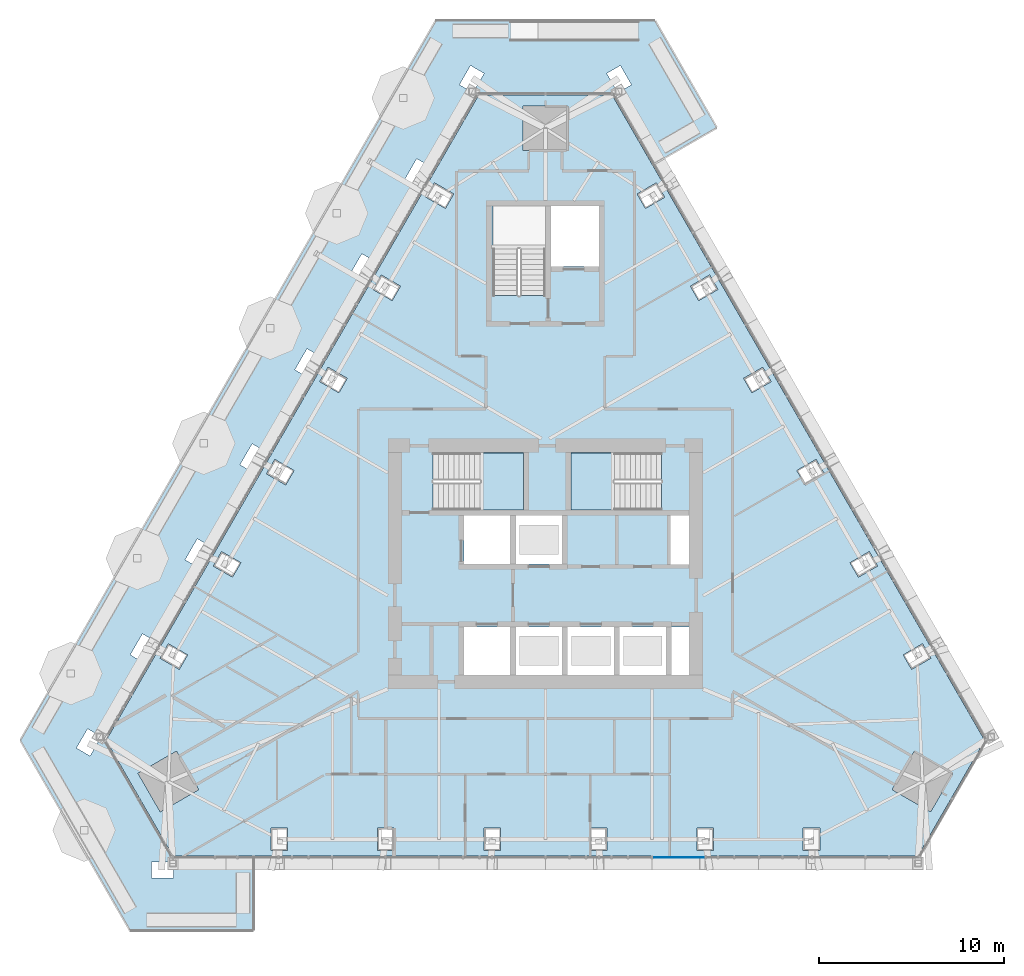
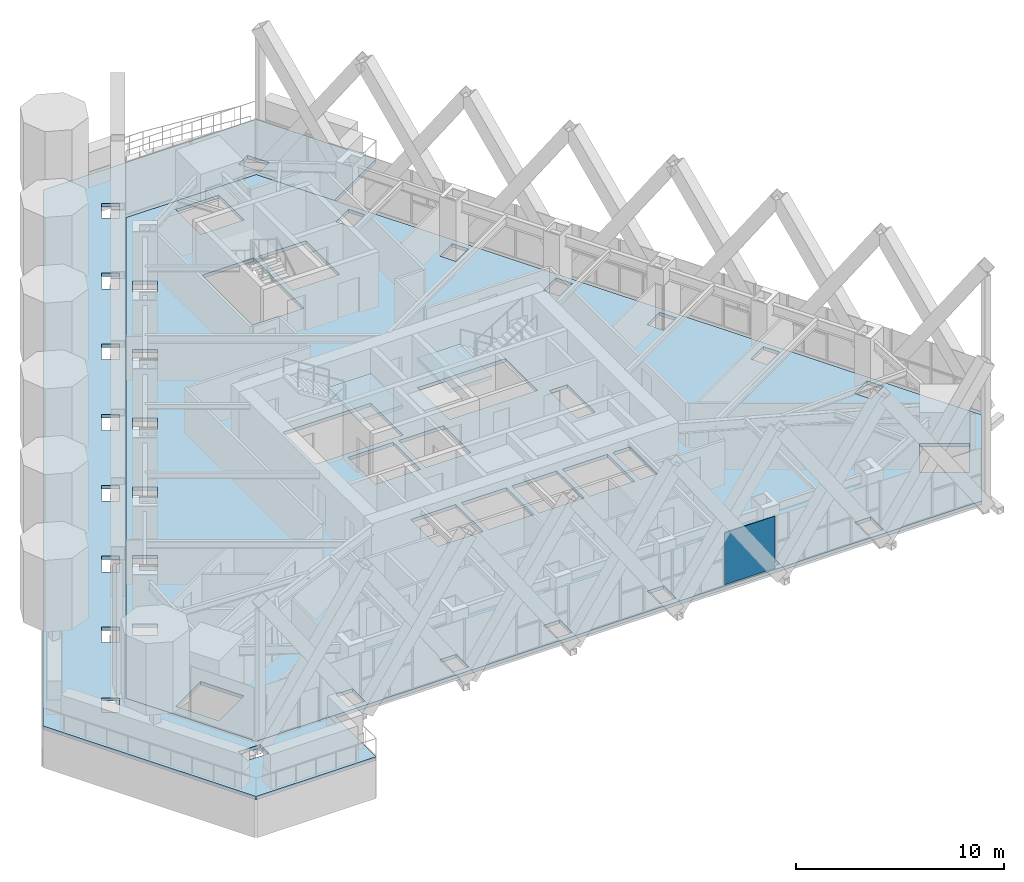
# One storey, part 13 of 24: 4 slabs, 1 plate, 3 elements without a shape of their own.
"""IFC4 building model written with IfcOpenShell, lengths in metres."""

from ifc_helpers import new_model, si_unit, direction, frame, origin, place, context, subcontext, project, spatial, polyline, outline, extrude, material, layer, layer_set, type_object, element, aggregate, save


model = new_model("IFC4")

# Units and contexts
model_context = context("Model", 3, precision=1e-05, world=origin(), true_north=direction((0.0, 1.0)))
body_context = subcontext(model_context, "Body", "Model", "MODEL_VIEW")
ifc_project = project(units=[si_unit("LENGTHUNIT", "METRE"), si_unit("AREAUNIT", "SQUARE_METRE"), si_unit("VOLUMEUNIT", "CUBIC_METRE"), si_unit("PLANEANGLEUNIT", "RADIAN"), si_unit("MASSUNIT", "GRAM", prefix="KILO")], contexts=[model_context])

# Site, building, storey
site_placement = place(None, origin())
site = spatial("IfcSite", under=ifc_project, at=site_placement, CompositionType="ELEMENT")
building_placement = place(site_placement, origin())
building = spatial("IfcBuilding", under=site, at=building_placement, Name="Firuza Gate Tower and Library", CompositionType="ELEMENT")
storey_placement = place(building_placement, frame((0.0, 0.0, 323.10009765625)))
storey = spatial("IfcBuildingStorey", under=building, at=storey_placement, Name="L79", CompositionType="ELEMENT", Elevation=323.10009765625)

# Slab
ifc_material_1 = material(Name="Concrete C40/50", Category="concrete")
ifc_layer_1 = layer(ifc_material_1, 0.199951171875)
ifc_layer_set_1 = layer_set([ifc_layer_1], Name="Composite floor slab 200 C40/50")
slab_type_1 = type_object("IfcSlabType", Name="Composite floor slab 200 C40/50", PredefinedType="FLOOR", material=ifc_layer_set_1)
placement_1 = place(storey_placement, frame((0.0, 0.0, -0.2001953125)))
element("IfcSlab", 1, at=placement_1, inside=storey, type_object=slab_type_1, Name="Floor slab L79", PredefinedType="FLOOR", context=body_context, shape_type="SweptSolid", body=[
    extrude(outline(polyline([(51.2958984375, 65.471435546875), (54.89599609375, 59.236083984375), (95.10400390625, 59.236083984375), (98.7041015625, 65.471435546875), (78.60009765625, 100.29248046875), (71.39990234375, 100.29248046875), (51.2958984375, 65.471435546875)]), holes=[polyline([(60.18994140625, 59.5361328125), (60.18994140625, 60.736083984375), (61.090087890625, 60.736083984375), (61.090087890625, 59.5361328125), (60.18994140625, 59.5361328125)]), polyline([(65.93408203125, 59.5361328125), (65.93408203125, 60.736083984375), (66.833984375, 60.736083984375), (66.833984375, 59.5361328125), (65.93408203125, 59.5361328125)]), polyline([(71.677978515625, 59.5361328125), (71.677978515625, 60.736083984375), (72.577880859375, 60.736083984375), (72.577880859375, 59.5361328125), (71.677978515625, 59.5361328125)]), polyline([(53.015625, 63.69287109375), (55.093994140625, 64.89306640625), (56.294189453125, 62.814453125), (54.215576171875, 61.614501953125), (53.015625, 63.69287109375)]), polyline([(54.65283203125, 70.685546875), (55.692138671875, 70.085693359375), (55.241943359375, 69.30615234375), (54.202880859375, 69.90625), (54.65283203125, 70.685546875)]), polyline([(73.10009765625, 69.0), (70.60009765625, 69.0), (70.60009765625, 71.60009765625), (73.10009765625, 71.60009765625), (73.10009765625, 69.0)]), polyline([(75.89990234375, 69.0), (73.39990234375, 69.0), (73.39990234375, 71.60009765625), (75.89990234375, 71.60009765625), (75.89990234375, 69.0)]), polyline([(57.52490234375, 75.659912109375), (58.56396484375, 75.06005859375), (58.114013671875, 74.280517578125), (57.07470703125, 74.880615234375), (57.52490234375, 75.659912109375)]), polyline([(73.10009765625, 75.0), (70.60009765625, 75.0), (70.60009765625, 77.60009765625), (73.10009765625, 77.60009765625), (73.10009765625, 75.0)]), polyline([(75.89990234375, 75.0), (73.39990234375, 75.0), (73.39990234375, 77.60009765625), (75.89990234375, 77.60009765625), (75.89990234375, 75.0)]), polyline([(68.9404296875, 77.89990234375), (68.9404296875, 80.97998046875), (73.81005859375, 80.97998046875), (73.81005859375, 77.89990234375), (68.9404296875, 77.89990234375)]), polyline([(60.396728515625, 80.634521484375), (61.43603515625, 80.034423828125), (60.986083984375, 79.255126953125), (59.94677734375, 79.85498046875), (60.396728515625, 80.634521484375)]), polyline([(63.268798828125, 85.60888671875), (64.30810546875, 85.009033203125), (63.858154296875, 84.2294921875), (62.81884765625, 84.82958984375), (63.268798828125, 85.60888671875)]), polyline([(66.140869140625, 90.583251953125), (67.179931640625, 89.9833984375), (66.72998046875, 89.203857421875), (65.69091796875, 89.803955078125), (66.140869140625, 90.583251953125)]), polyline([(72.159912109375, 89.470458984375), (72.159912109375, 94.300048828125), (75.0, 94.300048828125), (75.0, 89.470458984375), (72.159912109375, 89.470458984375)]), polyline([(69.0126953125, 95.557861328125), (70.052001953125, 94.957763671875), (69.60205078125, 94.178466796875), (68.562744140625, 94.7783203125), (69.0126953125, 95.557861328125)]), polyline([(76.199951171875, 99.692626953125), (76.199951171875, 97.29248046875), (73.800048828125, 97.29248046875), (73.800048828125, 99.692626953125), (76.199951171875, 99.692626953125)]), polyline([(77.422119140625, 59.5361328125), (77.422119140625, 60.736083984375), (78.322021484375, 60.736083984375), (78.322021484375, 59.5361328125), (77.422119140625, 59.5361328125)]), polyline([(83.166015625, 59.5361328125), (83.166015625, 60.736083984375), (84.06591796875, 60.736083984375), (84.06591796875, 59.5361328125), (83.166015625, 59.5361328125)]), polyline([(88.909912109375, 59.5361328125), (88.909912109375, 60.736083984375), (89.81005859375, 60.736083984375), (89.81005859375, 59.5361328125), (88.909912109375, 59.5361328125)]), polyline([(95.784423828125, 61.614501953125), (93.705810546875, 62.814453125), (94.906005859375, 64.89306640625), (96.984375, 63.69287109375), (95.784423828125, 61.614501953125)]), polyline([(95.797119140625, 69.90625), (94.758056640625, 69.30615234375), (94.307861328125, 70.085693359375), (95.34716796875, 70.685546875), (95.797119140625, 69.90625)]), polyline([(78.699951171875, 69.0), (76.199951171875, 69.0), (76.199951171875, 71.60009765625), (78.699951171875, 71.60009765625), (78.699951171875, 69.0)]), polyline([(81.5, 69.0), (79.0, 69.0), (79.0, 71.60009765625), (81.5, 71.60009765625), (81.5, 69.0)]), polyline([(82.75, 69.0), (81.800048828125, 69.0), (81.800048828125, 71.60009765625), (82.75, 71.60009765625), (82.75, 69.0)]), polyline([(92.92529296875, 74.880615234375), (91.885986328125, 74.280517578125), (91.43603515625, 75.06005859375), (92.47509765625, 75.659912109375), (92.92529296875, 74.880615234375)]), polyline([(82.75, 74.949951171875), (81.75, 74.949951171875), (81.75, 77.60009765625), (82.75, 77.60009765625), (82.75, 74.949951171875)]), polyline([(81.259521484375, 80.97998046875), (81.259521484375, 77.89990234375), (76.389892578125, 77.89990234375), (76.389892578125, 80.97998046875), (81.259521484375, 80.97998046875)]), polyline([(90.05322265625, 79.85498046875), (89.013916015625, 79.255126953125), (88.56396484375, 80.034423828125), (89.603271484375, 80.634521484375), (90.05322265625, 79.85498046875)]), polyline([(87.18115234375, 84.82958984375), (86.141845703125, 84.2294921875), (85.69189453125, 85.009033203125), (86.731201171875, 85.60888671875), (87.18115234375, 84.82958984375)]), polyline([(84.30908203125, 89.803955078125), (83.27001953125, 89.203857421875), (82.820068359375, 89.9833984375), (83.859130859375, 90.583251953125), (84.30908203125, 89.803955078125)]), polyline([(75.300048828125, 91.050048828125), (75.300048828125, 94.300048828125), (77.89990234375, 94.300048828125), (77.89990234375, 91.050048828125), (75.300048828125, 91.050048828125)]), polyline([(80.39794921875, 94.178466796875), (79.947998046875, 94.957763671875), (80.9873046875, 95.557861328125), (81.437255859375, 94.7783203125), (80.39794921875, 94.178466796875)])]), origin(), (0.0, 0.0, 1.0), 0.2001953125),
])

# Curtain wall, plate
ifc_material_2 = material(Name="Aluminium 6063-T6", Category="aluminium")
ifc_layer_2 = layer(ifc_material_2, 0.14990234375)
ifc_layer_set_2 = layer_set([ifc_layer_2], Name="Unitised curtain wall, residences")
curtain_wall_type = type_object("IfcCurtainWallType", Name="Unitised curtain wall, residences", PredefinedType="NOTDEFINED", material=ifc_layer_set_2)
placement_2 = place(storey_placement, origin())
curtain_wall = element("IfcCurtainWall", 2, at=placement_2, inside=storey, type_object=curtain_wall_type, Name="CW3 L79 S face", PredefinedType="NOTDEFINED")
ifc_material_3 = material(Name="Glazed ceramic tile")
ifc_layer_3 = layer(ifc_material_3, 0.030029296875)
ifc_layer_set_3 = layer_set([ifc_layer_3], Name="Opaque ceramic panel, residences")
plate_type = type_object("IfcPlateType", Name="Opaque ceramic panel, residences", PredefinedType="CURTAIN_PANEL", material=ifc_layer_set_3)
plate_placement = place(storey_placement, frame((80.79638671875, 59.14599609375, 0.14990234375), z_axis=(0.0, -1.0, 0.0), x_axis=(1.0, 0.0, 0.0)))
plate = element("IfcPlate", 3, at=plate_placement, type_object=plate_type, Name="Opaque ceramic panel", PredefinedType="CURTAIN_PANEL", context=body_context, shape_type="SweptSolid", body=[
    extrude(outline(polyline([(0.0, 0.0), (2.798095703125, 0.0), (2.798095703125, 3.050048828125), (0.0, 3.050048828125), (0.0, 0.0)])), origin(), (0.0, 0.0, -1.0), 0.030029296875),
])
aggregate(curtain_wall, [plate])

# Slab
ifc_material_4 = material(Name="Concrete C40/50", Category="concrete")
ifc_layer_4 = layer(ifc_material_4, 0.199951171875)
ifc_layer_set_4 = layer_set([ifc_layer_4], Name="Planter tray slab 200 C40/50")
slab_type_2 = type_object("IfcSlabType", Name="Planter tray slab 200 C40/50", PredefinedType="FLOOR", material=ifc_layer_set_4)
element("IfcSlab", 4, at=placement_1, inside=storey, type_object=slab_type_2, Name="Planter tray L79 band 9", PredefinedType="FLOOR", context=body_context, shape_type="SweptSolid", body=[
    extrude(outline(polyline([(80.77001953125, 96.533935546875), (84.234130859375, 98.533935546875), (80.909423828125, 104.29248046875), (69.090576171875, 104.29248046875), (46.67724609375, 65.471435546875), (52.586669921875, 55.236083984375), (59.236083984375, 55.236083984375), (59.236083984375, 59.236083984375), (54.89599609375, 59.236083984375), (51.2958984375, 65.471435546875), (71.39990234375, 100.29248046875), (78.60009765625, 100.29248046875), (80.77001953125, 96.533935546875)]), holes=[polyline([(53.736328125, 58.055419921875), (53.736328125, 58.9052734375), (54.936279296875, 58.9052734375), (54.936279296875, 58.055419921875), (53.736328125, 58.055419921875)]), polyline([(51.02978515625, 65.671630859375), (50.429931640625, 64.632568359375), (49.693603515625, 65.057373046875), (50.293701171875, 66.0966796875), (51.02978515625, 65.671630859375)]), polyline([(52.65380859375, 70.184326171875), (53.253662109375, 71.2236328125), (53.98974609375, 70.798583984375), (53.933349609375, 70.700927734375), (53.933349609375, 70.700927734375), (53.33349609375, 69.66162109375), (52.597412109375, 70.086669921875), (52.65380859375, 70.184326171875), (52.65380859375, 70.184326171875)]), polyline([(55.61376953125, 75.311279296875), (55.61376953125, 75.311279296875), (56.213623046875, 76.350341796875), (56.949951171875, 75.925537109375), (56.8935546875, 75.827880859375), (56.8935546875, 75.827880859375), (56.29345703125, 74.78857421875), (55.557373046875, 75.213623046875), (55.61376953125, 75.311279296875)]), polyline([(58.57373046875, 80.43798828125), (59.173828125, 81.477294921875), (59.909912109375, 81.05224609375), (59.853515625, 80.95458984375), (59.853515625, 80.95458984375), (59.25341796875, 79.91552734375), (58.517333984375, 80.34033203125), (58.57373046875, 80.43798828125), (58.57373046875, 80.43798828125)]), polyline([(61.53369140625, 85.56494140625), (61.53369140625, 85.56494140625), (62.1337890625, 86.604248046875), (62.869873046875, 86.17919921875), (62.8134765625, 86.08154296875), (62.8134765625, 86.08154296875), (62.21337890625, 85.042236328125), (61.477294921875, 85.46728515625), (61.53369140625, 85.56494140625)]), polyline([(64.49365234375, 90.69189453125), (64.49365234375, 90.69189453125), (65.09375, 91.73095703125), (65.829833984375, 91.30615234375), (65.7734375, 91.20849609375), (65.7734375, 91.20849609375), (65.17333984375, 90.169189453125), (64.437255859375, 90.59423828125), (64.49365234375, 90.69189453125)]), polyline([(67.45361328125, 95.818603515625), (67.45361328125, 95.818603515625), (68.0537109375, 96.85791015625), (68.789794921875, 96.432861328125), (68.7333984375, 96.335205078125), (68.7333984375, 96.335205078125), (68.133544921875, 95.296142578125), (67.3974609375, 95.720947265625), (67.45361328125, 95.818603515625)]), polyline([(70.957275390625, 101.88720703125), (71.693359375, 101.462158203125), (71.093505859375, 100.4228515625), (70.357421875, 100.847900390625), (70.957275390625, 101.88720703125)]), polyline([(79.642578125, 100.847900390625), (78.906494140625, 100.4228515625), (78.306640625, 101.462158203125), (79.042724609375, 101.88720703125), (79.642578125, 100.847900390625)])]), origin(), (0.0, 0.0, 1.0), 0.2001953125),
])

# Stair, slab
ifc_material_5 = material(Name="Concrete C35/45", Category="concrete")
stair_type = type_object("IfcStairType", Name="Exit stair ST8", PredefinedType="HALF_TURN_STAIR", material=ifc_material_5)
stair_1 = element("IfcStair", 5, at=placement_2, inside=storey, type_object=stair_type, Name="L79 Stair ST1", PredefinedType="HALF_TURN_STAIR")
ifc_material_6 = material(Name="Concrete C35/45", Category="concrete")
ifc_layer_5 = layer(ifc_material_6, 0.199951171875)
ifc_layer_set_5 = layer_set([ifc_layer_5], Name="Stair landing 200")
slab_type_3 = type_object("IfcSlabType", Name="Stair landing 200", PredefinedType="LANDING", material=ifc_layer_set_5)
placement_3 = place(storey_placement, frame((0.0, 0.0, 1.5498046875)))
slab_3 = element("IfcSlab", 6, at=placement_3, type_object=slab_type_3, Name="ST1 landing 1", PredefinedType="LANDING", context=body_context, shape_type="SweptSolid", body=[
    extrude(outline(polyline([(71.4599609375, 77.89990234375), (73.81005859375, 77.89990234375), (73.81005859375, 80.97998046875), (71.4599609375, 80.97998046875), (71.4599609375, 77.89990234375)])), origin(), (0.0, 0.0, 1.0), 0.2001953125),
])
aggregate(stair_1, [slab_3])

stair_2 = element("IfcStair", 7, at=placement_2, inside=storey, type_object=stair_type, Name="L79 Stair ST2", PredefinedType="HALF_TURN_STAIR")
slab_4 = element("IfcSlab", 8, at=placement_3, type_object=slab_type_3, Name="ST2 landing 1", PredefinedType="LANDING", context=body_context, shape_type="SweptSolid", body=[
    extrude(outline(polyline([(78.739990234375, 80.97998046875), (76.389892578125, 80.97998046875), (76.389892578125, 77.89990234375), (78.739990234375, 77.89990234375), (78.739990234375, 80.97998046875)])), origin(), (0.0, 0.0, 1.0), 0.2001953125),
])
aggregate(stair_2, [slab_4])

save(model, "model.ifc")
